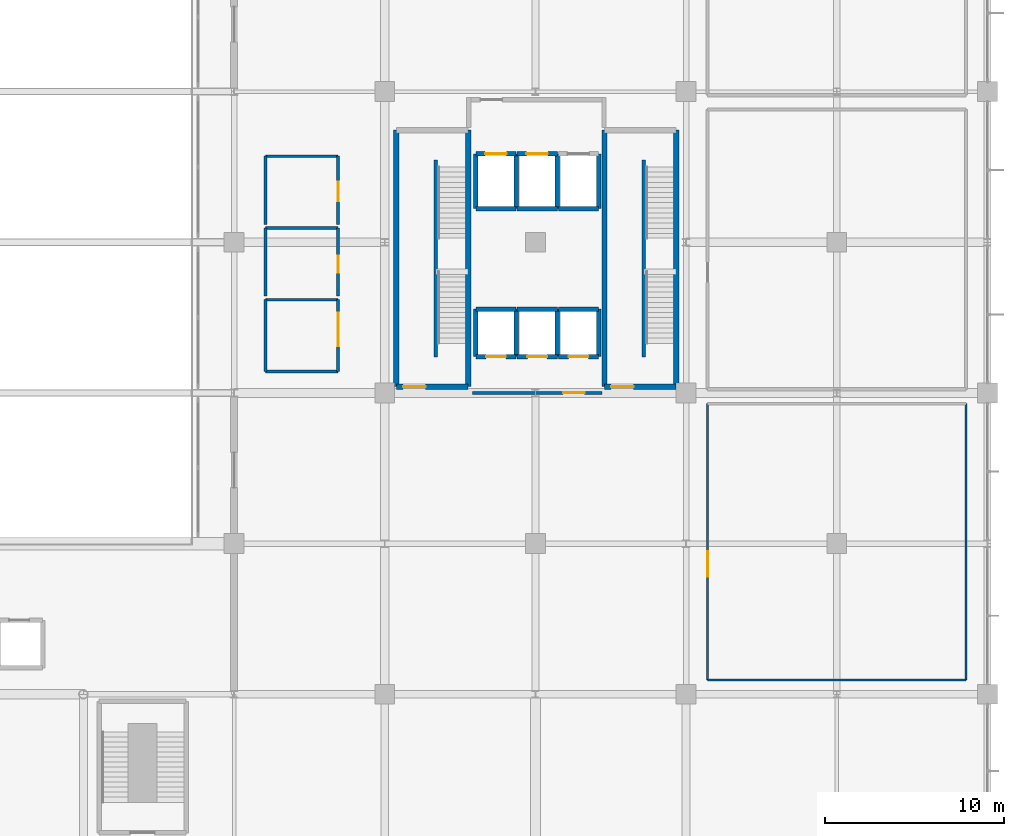
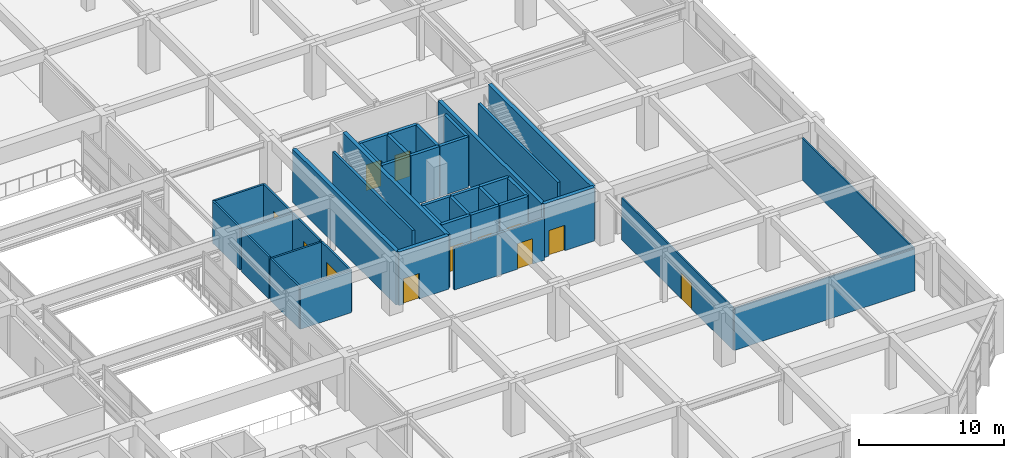
# One storey, part 52 of 62: 41 walls, 12 doors, 12 openings.
"""IFC4 building model written with IfcOpenShell, lengths in metres."""

from ifc_helpers import new_model, si_unit, direction, frame, frame_2d, origin, place, context, subcontext, project, spatial, rectangle, extrude, material, layer, layer_set, type_object, element, fill, save


model = new_model("IFC4")

# Units and contexts
model_context = context("Model", 3, precision=1e-05, world=origin(), true_north=direction((0.0, 1.0)))
body_context = subcontext(model_context, "Body", "Model", "MODEL_VIEW")
ifc_project = project(units=[si_unit("LENGTHUNIT", "METRE"), si_unit("AREAUNIT", "SQUARE_METRE"), si_unit("VOLUMEUNIT", "CUBIC_METRE"), si_unit("PLANEANGLEUNIT", "RADIAN"), si_unit("MASSUNIT", "GRAM", prefix="KILO")], contexts=[model_context])

# Site, building, storey
site_placement = place(None, origin())
site = spatial("IfcSite", under=ifc_project, at=site_placement, CompositionType="ELEMENT")
building_placement = place(site_placement, origin())
building = spatial("IfcBuilding", under=site, at=building_placement, Name="Xuanlan Plaza Opera House", CompositionType="ELEMENT")
storey_placement = place(building_placement, frame((0.0, 0.0, 14.39990234375)))
storey = spatial("IfcBuildingStorey", under=building, at=storey_placement, Name="L03", CompositionType="ELEMENT", Elevation=14.39990234375)

# Wall, opening, door
ifc_material_1 = material(Name="Gypsum Board and Galvanised Steel Studs", Category="gypsum")
ifc_layer_1 = layer(ifc_material_1, 0.179931640625)
ifc_layer_set_1 = layer_set([ifc_layer_1], Name="Gypsum Board and Galvanised Steel Studs")
wall_type_1 = type_object("IfcWallType", Name="INT-WL-PW-02", PredefinedType="PARTITIONING", material=ifc_layer_set_1)
wall_1_placement = place(storey_placement, frame((139.300048828125, 50.39990234375, 0.0), z_axis=(0.0, 0.0, 1.0), x_axis=(1.0, 0.0, 0.0)))
wall_1 = element("IfcWall", 1, at=wall_1_placement, inside=storey, type_object=wall_type_1, Name="Tower Lift Lobby Wall South", PredefinedType="PARTITIONING", context=body_context, shape_type="SweptSolid", body=[
    extrude(rectangle(XDim=7.199951171875, YDim=0.179931640625, at=frame_2d((3.60009765625, 0.0))), origin(), (0.0, 0.0, 1.0), 3.5400390625),
])
opening_1_placement = place(wall_1_placement, frame((5.050048828125, 0.0, 0.0)))
opening_1 = element("IfcOpeningElement", 2, at=opening_1_placement, cuts=wall_1, Name="Opening FD-02", PredefinedType="OPENING", context=body_context, shape_type="SweptSolid", body=[
    extrude(rectangle(XDim=1.199951171875, YDim=2.14990234375, at=frame_2d((0.60009765625, 1.074951171875))), frame((0.0, 0.099853515625, 0.0), z_axis=(0.0, -1.0, 0.0), x_axis=(1.0, 0.0, 0.0)), (0.0, 0.0, 1.0), 0.199951171875),
])
ifc_material_2 = material(Name="Galvanised Steel Q235B", Category="steel")
door_type_1 = type_object("IfcDoorType", Name="INT-DR-FD-02", OperationType="NOTDEFINED", PredefinedType="DOOR", material=ifc_material_2)
door_1_placement = place(opening_1_placement, frame((1.199951171875, 0.0, 0.0), z_axis=(0.0, 0.0, 1.0), x_axis=(-1.0, 0.0, 0.0)))
door_1 = element("IfcDoor", 3, at=door_1_placement, inside=storey, type_object=door_type_1, Name="Tower Lift Lobby Door 1", OperationType="SINGLE_SWING_RIGHT", OverallHeight=2.14990234375, OverallWidth=1.199951171875, PredefinedType="DOOR", context=body_context, shape_type="SweptSolid", body=[
    extrude(rectangle(XDim=1.199951171875, YDim=2.14990234375, at=frame_2d((0.60009765625, 1.074951171875))), frame((0.0, 0.02490234375, 0.0), z_axis=(0.0, -1.0, 0.0), x_axis=(1.0, 0.0, 0.0)), (0.0, 0.0, 1.0), 0.050048828125),
])
fill(opening_1, door_1)

# Walls
ifc_material_3 = material(Name="Autoclaved Aerated Blockwork Masonry", Category="masonry")
ifc_layer_2 = layer(ifc_material_3, 0.14990234375)
ifc_layer_set_2 = layer_set([ifc_layer_2], Name="Autoclaved Aerated Blockwork Masonry")
wall_type_2 = type_object("IfcWallType", Name="INT-WL-PW-03", PredefinedType="PARTITIONING", material=ifc_layer_set_2)
for number, where, z_axis, x_axis, name in (
    (4, (127.75, 51.60009765625, 0.0), (0.0, 0.0, 1.0), (1.0, 0.0, 0.0), "Public WC Wall South"),
    (5, (127.75, 55.60009765625, 0.0), (0.0, 0.0, 1.0), (1.0, 0.0, 0.0), "Public WC Wall North"),
):
    element("IfcWall", number, at=place(storey_placement, frame(where, z_axis=z_axis, x_axis=x_axis)), inside=storey, type_object=wall_type_2, Name=name, PredefinedType="PARTITIONING", context=body_context, shape_type="SweptSolid", body=[
        extrude(rectangle(XDim=4.050048828125, YDim=0.14990234375, at=frame_2d((2.02490234375, 0.0))), origin(), (0.0, 0.0, 1.0), 3.5400390625),
    ])
wall_2_placement = place(storey_placement, frame((127.75, 51.60009765625, 0.0), z_axis=(0.0, 0.0, 1.0), x_axis=(0.0, 1.0, 0.0)))
element("IfcWall", 6, at=wall_2_placement, inside=storey, type_object=wall_type_2, Name="Public WC Wall West", PredefinedType="PARTITIONING", context=body_context, shape_type="SweptSolid", body=[
    extrude(rectangle(XDim=4.0, YDim=0.14990234375, at=frame_2d((2.0, 0.0))), origin(), (0.0, 0.0, 1.0), 3.5400390625),
])

# Wall, opening, door
wall_3_placement = place(storey_placement, frame((131.800048828125, 51.60009765625, 0.0), z_axis=(0.0, 0.0, 1.0), x_axis=(0.0, 1.0, 0.0)))
wall_3 = element("IfcWall", 7, at=wall_3_placement, inside=storey, type_object=wall_type_2, Name="Public WC Wall East", PredefinedType="PARTITIONING", context=body_context, shape_type="SweptSolid", body=[
    extrude(rectangle(XDim=4.0, YDim=0.14990234375, at=frame_2d((2.0, 0.0))), origin(), (0.0, 0.0, 1.0), 3.5400390625),
])
opening_2_placement = place(wall_3_placement, frame((1.39990234375, 0.0, 0.0)))
opening_2 = element("IfcOpeningElement", 8, at=opening_2_placement, cuts=wall_3, Name="Opening D-15", PredefinedType="OPENING", context=body_context, shape_type="SweptSolid", body=[
    extrude(rectangle(XDim=1.860107421875, YDim=2.260009765625, at=frame_2d((0.93017578125, 1.1298828125))), frame((0.0, 0.0849609375, 0.0), z_axis=(0.0, -1.0, 0.0), x_axis=(1.0, 0.0, 0.0)), (0.0, 0.0, 1.0), 0.169921875),
])
ifc_material_4 = material(Name="Walnut Hardwood Timber", Category="wood")
door_type_2 = type_object("IfcDoorType", Name="INT-DR-D-15", OperationType="DOUBLE_DOOR_SINGLE_SWING", PredefinedType="DOOR", material=ifc_material_4)
door_2_placement = place(opening_2_placement, origin())
door_2 = element("IfcDoor", 9, at=door_2_placement, inside=storey, type_object=door_type_2, Name="Public WC Door 1", OperationType="DOUBLE_DOOR_SINGLE_SWING", OverallHeight=2.260009765625, OverallWidth=1.860107421875, PredefinedType="DOOR", context=body_context, shape_type="SweptSolid", body=[
    extrude(rectangle(XDim=1.860107421875, YDim=2.260009765625, at=frame_2d((0.93017578125, 1.1298828125))), frame((0.0, 0.02490234375, 0.0), z_axis=(0.0, -1.0, 0.0), x_axis=(1.0, 0.0, 0.0)), (0.0, 0.0, 1.0), 0.050048828125),
])
fill(opening_2, door_2)

# Walls
wall_4_placement = place(storey_placement, frame((127.75, 59.60009765625, 0.0), z_axis=(0.0, 0.0, 1.0), x_axis=(1.0, 0.0, 0.0)))
element("IfcWall", 10, at=wall_4_placement, inside=storey, type_object=wall_type_2, Name="Staff WC Wall North", PredefinedType="PARTITIONING", context=body_context, shape_type="SweptSolid", body=[
    extrude(rectangle(XDim=4.050048828125, YDim=0.14990234375, at=frame_2d((2.02490234375, 0.0))), origin(), (0.0, 0.0, 1.0), 3.5400390625),
])
wall_5_placement = place(storey_placement, frame((127.75, 55.800048828125, 0.0), z_axis=(0.0, 0.0, 1.0), x_axis=(0.0, 1.0, 0.0)))
element("IfcWall", 11, at=wall_5_placement, inside=storey, type_object=wall_type_2, Name="Staff WC Wall West", PredefinedType="PARTITIONING", context=body_context, shape_type="SweptSolid", body=[
    extrude(rectangle(XDim=3.800048828125, YDim=0.14990234375, at=frame_2d((1.89990234375, 0.0))), origin(), (0.0, 0.0, 1.0), 3.5400390625),
])

# Wall, opening, door
wall_6_placement = place(storey_placement, frame((131.800048828125, 55.800048828125, 0.0), z_axis=(0.0, 0.0, 1.0), x_axis=(0.0, 1.0, 0.0)))
wall_6 = element("IfcWall", 12, at=wall_6_placement, inside=storey, type_object=wall_type_2, Name="Staff WC Wall East", PredefinedType="PARTITIONING", context=body_context, shape_type="SweptSolid", body=[
    extrude(rectangle(XDim=3.800048828125, YDim=0.14990234375, at=frame_2d((1.89990234375, 0.0))), origin(), (0.0, 0.0, 1.0), 3.5400390625),
])
opening_3_placement = place(wall_6_placement, frame((1.300048828125, 0.0, 0.0)))
opening_3 = element("IfcOpeningElement", 13, at=opening_3_placement, cuts=wall_6, Name="Opening D-01", PredefinedType="OPENING", context=body_context, shape_type="SweptSolid", body=[
    extrude(rectangle(XDim=0.949951171875, YDim=2.10009765625, at=frame_2d((0.47509765625, 1.050048828125))), frame((0.0, 0.0849609375, 0.0), z_axis=(0.0, -1.0, 0.0), x_axis=(1.0, 0.0, 0.0)), (0.0, 0.0, 1.0), 0.169921875),
])
door_type_3 = type_object("IfcDoorType", Name="INT-DR-D-01", OperationType="NOTDEFINED", PredefinedType="DOOR", material=ifc_material_4)
door_3_placement = place(opening_3_placement, origin())
door_3 = element("IfcDoor", 14, at=door_3_placement, inside=storey, type_object=door_type_3, Name="Staff WC Door 1", OperationType="SINGLE_SWING_RIGHT", OverallHeight=2.10009765625, OverallWidth=0.949951171875, PredefinedType="DOOR", context=body_context, shape_type="SweptSolid", body=[
    extrude(rectangle(XDim=0.949951171875, YDim=2.10009765625, at=frame_2d((0.47509765625, 1.050048828125))), frame((0.0, 0.02490234375, 0.0), z_axis=(0.0, -1.0, 0.0), x_axis=(1.0, 0.0, 0.0)), (0.0, 0.0, 1.0), 0.050048828125),
])
fill(opening_3, door_3)

# Walls
wall_7_placement = place(storey_placement, frame((127.75, 63.60009765625, 0.0), z_axis=(0.0, 0.0, 1.0), x_axis=(1.0, 0.0, 0.0)))
element("IfcWall", 15, at=wall_7_placement, inside=storey, type_object=wall_type_2, Name="Accessible WC Wall North", PredefinedType="PARTITIONING", context=body_context, shape_type="SweptSolid", body=[
    extrude(rectangle(XDim=4.050048828125, YDim=0.14990234375, at=frame_2d((2.02490234375, 0.0))), origin(), (0.0, 0.0, 1.0), 3.5400390625),
])
wall_8_placement = place(storey_placement, frame((127.75, 59.800048828125, 0.0), z_axis=(0.0, 0.0, 1.0), x_axis=(0.0, 1.0, 0.0)))
element("IfcWall", 16, at=wall_8_placement, inside=storey, type_object=wall_type_2, Name="Accessible WC Wall West", PredefinedType="PARTITIONING", context=body_context, shape_type="SweptSolid", body=[
    extrude(rectangle(XDim=3.800048828125, YDim=0.14990234375, at=frame_2d((1.89990234375, 0.0))), origin(), (0.0, 0.0, 1.0), 3.5400390625),
])

# Wall, opening, door
wall_9_placement = place(storey_placement, frame((131.800048828125, 59.800048828125, 0.0), z_axis=(0.0, 0.0, 1.0), x_axis=(0.0, 1.0, 0.0)))
wall_9 = element("IfcWall", 17, at=wall_9_placement, inside=storey, type_object=wall_type_2, Name="Accessible WC Wall East", PredefinedType="PARTITIONING", context=body_context, shape_type="SweptSolid", body=[
    extrude(rectangle(XDim=3.800048828125, YDim=0.14990234375, at=frame_2d((1.89990234375, 0.0))), origin(), (0.0, 0.0, 1.0), 3.5400390625),
])
opening_4_placement = place(wall_9_placement, frame((1.300048828125, 0.0, 0.0)))
opening_4 = element("IfcOpeningElement", 18, at=opening_4_placement, cuts=wall_9, Name="Opening D-06", PredefinedType="OPENING", context=body_context, shape_type="SweptSolid", body=[
    extrude(rectangle(XDim=1.080078125, YDim=2.1201171875, at=frame_2d((0.5400390625, 1.06005859375))), frame((0.0, 0.0849609375, 0.0), z_axis=(0.0, -1.0, 0.0), x_axis=(1.0, 0.0, 0.0)), (0.0, 0.0, 1.0), 0.169921875),
])
ifc_material_5 = material(Name="Oak Hardwood Timber", Category="wood")
door_type_4 = type_object("IfcDoorType", Name="INT-DR-D-06", OperationType="NOTDEFINED", PredefinedType="DOOR", material=ifc_material_5)
door_4_placement = place(opening_4_placement, origin())
door_4 = element("IfcDoor", 19, at=door_4_placement, inside=storey, type_object=door_type_4, Name="Accessible WC Door 1", OperationType="SINGLE_SWING_LEFT", OverallHeight=2.1201171875, OverallWidth=1.080078125, PredefinedType="DOOR", context=body_context, shape_type="SweptSolid", body=[
    extrude(rectangle(XDim=1.080078125, YDim=2.1201171875, at=frame_2d((0.5400390625, 1.06005859375))), frame((0.0, 0.02490234375, 0.0), z_axis=(0.0, -1.0, 0.0), x_axis=(1.0, 0.0, 0.0)), (0.0, 0.0, 1.0), 0.050048828125),
])
fill(opening_4, door_4)

# Wall
ifc_layer_3 = layer(ifc_material_1, 0.1201171875)
ifc_layer_set_3 = layer_set([ifc_layer_3], Name="Gypsum Board and Galvanised Steel Studs")
wall_type_3 = type_object("IfcWallType", Name="INT-WL-PW-04", PredefinedType="PARTITIONING", material=ifc_layer_set_3)
wall_10_placement = place(storey_placement, frame((152.39990234375, 34.39990234375, 0.0), z_axis=(0.0, 0.0, 1.0), x_axis=(1.0, 0.0, 0.0)))
element("IfcWall", 20, at=wall_10_placement, inside=storey, type_object=wall_type_3, Name="Stage Design Atelier 1 Wall South", PredefinedType="PARTITIONING", context=body_context, shape_type="SweptSolid", body=[
    extrude(rectangle(XDim=14.400146484375, YDim=0.1201171875, at=frame_2d((7.2001953125, 0.0))), origin(), (0.0, 0.0, 1.0), 3.5400390625),
])

# Wall, opening, door
wall_11_placement = place(storey_placement, frame((152.39990234375, 34.39990234375, 0.0), z_axis=(0.0, 0.0, 1.0), x_axis=(0.0, 1.0, 0.0)))
wall_11 = element("IfcWall", 21, at=wall_11_placement, inside=storey, type_object=wall_type_3, Name="Stage Design Atelier 1 Wall West", PredefinedType="PARTITIONING", context=body_context, shape_type="SweptSolid", body=[
    extrude(rectangle(XDim=15.400146484375, YDim=0.1201171875, at=frame_2d((7.7001953125, 0.0))), origin(), (0.0, 0.0, 1.0), 3.5400390625),
])
opening_5_placement = place(wall_11_placement, frame((5.75, 0.0, 0.0)))
opening_5 = element("IfcOpeningElement", 22, at=opening_5_placement, cuts=wall_11, Name="Opening D-12", PredefinedType="OPENING", context=body_context, shape_type="SweptSolid", body=[
    extrude(rectangle(XDim=1.419921875, YDim=2.179931640625, at=frame_2d((0.7099609375, 1.08984375))), frame((0.0, 0.070068359375, 0.0), z_axis=(0.0, -1.0, 0.0), x_axis=(1.0, 0.0, 0.0)), (0.0, 0.0, 1.0), 0.14013671875),
])
door_type_5 = type_object("IfcDoorType", Name="INT-DR-D-12", OperationType="DOUBLE_DOOR_SINGLE_SWING", PredefinedType="DOOR", material=ifc_material_5)
door_5_placement = place(opening_5_placement, origin())
door_5 = element("IfcDoor", 23, at=door_5_placement, inside=storey, type_object=door_type_5, Name="Stage Design Atelier 1 Door 1", OperationType="DOUBLE_DOOR_SINGLE_SWING", OverallHeight=2.179931640625, OverallWidth=1.419921875, PredefinedType="DOOR", context=body_context, shape_type="SweptSolid", body=[
    extrude(rectangle(XDim=1.419921875, YDim=2.179931640625, at=frame_2d((0.7099609375, 1.08984375))), frame((0.0, 0.02490234375, 0.0), z_axis=(0.0, -1.0, 0.0), x_axis=(1.0, 0.0, 0.0)), (0.0, 0.0, 1.0), 0.050048828125),
])
fill(opening_5, door_5)

# Walls
wall_12_placement = place(storey_placement, frame((166.800048828125, 34.39990234375, 0.0), z_axis=(0.0, 0.0, 1.0), x_axis=(0.0, 1.0, 0.0)))
element("IfcWall", 24, at=wall_12_placement, inside=storey, type_object=wall_type_3, Name="Stage Design Atelier 1 Wall East", PredefinedType="PARTITIONING", context=body_context, shape_type="SweptSolid", body=[
    extrude(rectangle(XDim=15.400146484375, YDim=0.1201171875, at=frame_2d((7.7001953125, 0.0))), origin(), (0.0, 0.0, 1.0), 3.5400390625),
])
ifc_material_6 = material(Name="Concrete C40", Category="concrete")
ifc_layer_4 = layer(ifc_material_6, 0.25)
ifc_layer_set_4 = layer_set([ifc_layer_4], Name="Concrete C40")
wall_type_4 = type_object("IfcWallType", Name="INT-WL-SW-LF1", PredefinedType="SHEAR", material=ifc_layer_set_4)
wall_13_placement = place(storey_placement, frame((139.47509765625, 60.675048828125, 0.0), z_axis=(0.0, 0.0, 1.0), x_axis=(1.0, 0.0, 0.0)))
element("IfcWall", 25, at=wall_13_placement, inside=storey, type_object=wall_type_4, Name="Lift Shaft Wall LF-FF1 L03 South", PredefinedType="SHEAR", context=body_context, shape_type="SweptSolid", body=[
    extrude(rectangle(XDim=2.25, YDim=0.25, at=frame_2d((1.125, 0.0))), origin(), (0.0, 0.0, 1.0), 4.239990234375),
])

# Wall, opening, door
wall_14_placement = place(storey_placement, frame((139.47509765625, 63.72509765625, 0.0), z_axis=(0.0, 0.0, 1.0), x_axis=(1.0, 0.0, 0.0)))
wall_14 = element("IfcWall", 26, at=wall_14_placement, inside=storey, type_object=wall_type_4, Name="Lift Shaft Wall LF-FF1 L03 North", PredefinedType="SHEAR", context=body_context, shape_type="SweptSolid", body=[
    extrude(rectangle(XDim=2.25, YDim=0.25, at=frame_2d((1.125, 0.0))), origin(), (0.0, 0.0, 1.0), 4.239990234375),
])
opening_6_placement = place(wall_14_placement, frame((0.52490234375, 0.0, 0.0)))
opening_6 = element("IfcOpeningElement", 27, at=opening_6_placement, cuts=wall_14, Name="Opening LD-FF1-L03", PredefinedType="OPENING", context=body_context, shape_type="SweptSolid", body=[
    extrude(rectangle(XDim=1.199951171875, YDim=2.179931640625, at=frame_2d((0.60009765625, 1.08984375))), frame((0.0, 0.135009765625, 0.0), z_axis=(0.0, -1.0, 0.0), x_axis=(1.0, 0.0, 0.0)), (0.0, 0.0, 1.0), 0.27001953125),
])
ifc_material_7 = material(Name="Stainless Steel S30408", Category="steel")
door_type_6 = type_object("IfcDoorType", Name="INT-DR-LD-02", OperationType="DOUBLE_DOOR_SLIDING", PredefinedType="DOOR", material=ifc_material_7)
door_6_placement = place(opening_6_placement, origin())
door_6 = element("IfcDoor", 28, at=door_6_placement, inside=storey, type_object=door_type_6, Name="Lift Sliding Landing Door LF-FF1 L03", OperationType="DOUBLE_DOOR_SLIDING", OverallHeight=2.179931640625, OverallWidth=1.199951171875, PredefinedType="DOOR", context=body_context, shape_type="SweptSolid", body=[
    extrude(rectangle(XDim=1.199951171875, YDim=2.179931640625, at=frame_2d((0.60009765625, 1.08984375))), frame((0.0, 0.02490234375, 0.0), z_axis=(0.0, -1.0, 0.0), x_axis=(1.0, 0.0, 0.0)), (0.0, 0.0, 1.0), 0.050048828125),
])
fill(opening_6, door_6)

# Walls
for number, where, z_axis, x_axis, name in (
    (29, (139.47509765625, 60.675048828125, 0.0), (0.0, 0.0, 1.0), (0.0, 1.0, 0.0), "Lift Shaft Wall LF-FF1 L03 West"),
    (30, (141.72509765625, 60.675048828125, 0.0), (0.0, 0.0, 1.0), (0.0, 1.0, 0.0), "Lift Shaft Wall LF-FF1 L03 East"),
):
    element("IfcWall", number, at=place(storey_placement, frame(where, z_axis=z_axis, x_axis=x_axis)), inside=storey, type_object=wall_type_4, Name=name, PredefinedType="SHEAR", context=body_context, shape_type="SweptSolid", body=[
        extrude(rectangle(XDim=3.050048828125, YDim=0.25, at=frame_2d((1.52490234375, 0.0))), origin(), (0.0, 0.0, 1.0), 4.239990234375),
    ])
wall_15_placement = place(storey_placement, frame((141.77490234375, 60.675048828125, 0.0), z_axis=(0.0, 0.0, 1.0), x_axis=(1.0, 0.0, 0.0)))
element("IfcWall", 31, at=wall_15_placement, inside=storey, type_object=wall_type_4, Name="Lift Shaft Wall LF-FF2 L03 South", PredefinedType="SHEAR", context=body_context, shape_type="SweptSolid", body=[
    extrude(rectangle(XDim=2.25, YDim=0.25, at=frame_2d((1.125, 0.0))), origin(), (0.0, 0.0, 1.0), 4.239990234375),
])

# Wall, opening, door
wall_16_placement = place(storey_placement, frame((141.77490234375, 63.72509765625, 0.0), z_axis=(0.0, 0.0, 1.0), x_axis=(1.0, 0.0, 0.0)))
wall_16 = element("IfcWall", 32, at=wall_16_placement, inside=storey, type_object=wall_type_4, Name="Lift Shaft Wall LF-FF2 L03 North", PredefinedType="SHEAR", context=body_context, shape_type="SweptSolid", body=[
    extrude(rectangle(XDim=2.25, YDim=0.25, at=frame_2d((1.125, 0.0))), origin(), (0.0, 0.0, 1.0), 4.239990234375),
])
opening_7_placement = place(wall_16_placement, frame((0.52490234375, 0.0, 0.0)))
opening_7 = element("IfcOpeningElement", 33, at=opening_7_placement, cuts=wall_16, Name="Opening LD-FF2-L03", PredefinedType="OPENING", context=body_context, shape_type="SweptSolid", body=[
    extrude(rectangle(XDim=1.199951171875, YDim=2.179931640625, at=frame_2d((0.60009765625, 1.08984375))), frame((0.0, 0.135009765625, 0.0), z_axis=(0.0, -1.0, 0.0), x_axis=(1.0, 0.0, 0.0)), (0.0, 0.0, 1.0), 0.27001953125),
])
door_7_placement = place(opening_7_placement, origin())
door_7 = element("IfcDoor", 34, at=door_7_placement, inside=storey, type_object=door_type_6, Name="Lift Sliding Landing Door LF-FF2 L03", OperationType="DOUBLE_DOOR_SLIDING", OverallHeight=2.179931640625, OverallWidth=1.199951171875, PredefinedType="DOOR", context=body_context, shape_type="SweptSolid", body=[
    extrude(rectangle(XDim=1.199951171875, YDim=2.179931640625, at=frame_2d((0.60009765625, 1.08984375))), frame((0.0, 0.02490234375, 0.0), z_axis=(0.0, -1.0, 0.0), x_axis=(1.0, 0.0, 0.0)), (0.0, 0.0, 1.0), 0.050048828125),
])
fill(opening_7, door_7)

# Walls
wall_17_placement = place(storey_placement, frame((144.02490234375, 60.675048828125, 0.0), z_axis=(0.0, 0.0, 1.0), x_axis=(0.0, 1.0, 0.0)))
element("IfcWall", 35, at=wall_17_placement, inside=storey, type_object=wall_type_4, Name="Lift Shaft Wall LF-FF2 L03 East", PredefinedType="SHEAR", context=body_context, shape_type="SweptSolid", body=[
    extrude(rectangle(XDim=3.050048828125, YDim=0.25, at=frame_2d((1.52490234375, 0.0))), origin(), (0.0, 0.0, 1.0), 4.239990234375),
])
wall_18_placement = place(storey_placement, frame((144.074951171875, 60.675048828125, 0.0), z_axis=(0.0, 0.0, 1.0), x_axis=(1.0, 0.0, 0.0)))
element("IfcWall", 36, at=wall_18_placement, inside=storey, type_object=wall_type_4, Name="Lift Shaft Wall LF-FF3 L03 South", PredefinedType="SHEAR", context=body_context, shape_type="SweptSolid", body=[
    extrude(rectangle(XDim=2.25, YDim=0.25, at=frame_2d((1.125, 0.0))), origin(), (0.0, 0.0, 1.0), 4.239990234375),
])
wall_19_placement = place(storey_placement, frame((146.324951171875, 60.675048828125, 0.0), z_axis=(0.0, 0.0, 1.0), x_axis=(0.0, 1.0, 0.0)))
element("IfcWall", 37, at=wall_19_placement, inside=storey, type_object=wall_type_4, Name="Lift Shaft Wall LF-FF3 L03 East", PredefinedType="SHEAR", context=body_context, shape_type="SweptSolid", body=[
    extrude(rectangle(XDim=3.050048828125, YDim=0.25, at=frame_2d((1.52490234375, 0.0))), origin(), (0.0, 0.0, 1.0), 4.239990234375),
])

# Wall, opening, door
wall_20_placement = place(storey_placement, frame((139.47509765625, 52.425048828125, 0.0), z_axis=(0.0, 0.0, 1.0), x_axis=(1.0, 0.0, 0.0)))
wall_20 = element("IfcWall", 38, at=wall_20_placement, inside=storey, type_object=wall_type_4, Name="Lift Shaft Wall LF-P1 L03 South", PredefinedType="SHEAR", context=body_context, shape_type="SweptSolid", body=[
    extrude(rectangle(XDim=2.25, YDim=0.25, at=frame_2d((1.125, 0.0))), origin(), (0.0, 0.0, 1.0), 4.239990234375),
])
opening_8_placement = place(wall_20_placement, frame((0.574951171875, 0.0, 0.0)))
opening_8 = element("IfcOpeningElement", 39, at=opening_8_placement, cuts=wall_20, Name="Opening LD-P1-L03", PredefinedType="OPENING", context=body_context, shape_type="SweptSolid", body=[
    extrude(rectangle(XDim=1.10009765625, YDim=2.14990234375, at=frame_2d((0.550048828125, 1.074951171875))), frame((0.0, 0.135009765625, 0.0), z_axis=(0.0, -1.0, 0.0), x_axis=(1.0, 0.0, 0.0)), (0.0, 0.0, 1.0), 0.27001953125),
])
door_type_7 = type_object("IfcDoorType", Name="INT-DR-LD-01", OperationType="DOUBLE_DOOR_SLIDING", PredefinedType="DOOR", material=ifc_material_7)
door_8_placement = place(opening_8_placement, origin())
door_8 = element("IfcDoor", 40, at=door_8_placement, inside=storey, type_object=door_type_7, Name="Lift Sliding Landing Door LF-P1 L03", OperationType="DOUBLE_DOOR_SLIDING", OverallHeight=2.14990234375, OverallWidth=1.10009765625, PredefinedType="DOOR", context=body_context, shape_type="SweptSolid", body=[
    extrude(rectangle(XDim=1.10009765625, YDim=2.14990234375, at=frame_2d((0.550048828125, 1.074951171875))), frame((0.0, 0.02490234375, 0.0), z_axis=(0.0, -1.0, 0.0), x_axis=(1.0, 0.0, 0.0)), (0.0, 0.0, 1.0), 0.050048828125),
])
fill(opening_8, door_8)

# Walls
wall_21_placement = place(storey_placement, frame((139.47509765625, 55.074951171875, 0.0), z_axis=(0.0, 0.0, 1.0), x_axis=(1.0, 0.0, 0.0)))
element("IfcWall", 41, at=wall_21_placement, inside=storey, type_object=wall_type_4, Name="Lift Shaft Wall LF-P1 L03 North", PredefinedType="SHEAR", context=body_context, shape_type="SweptSolid", body=[
    extrude(rectangle(XDim=2.25, YDim=0.25, at=frame_2d((1.125, 0.0))), origin(), (0.0, 0.0, 1.0), 4.239990234375),
])
for number, where, z_axis, x_axis, name in (
    (42, (139.47509765625, 52.425048828125, 0.0), (0.0, 0.0, 1.0), (0.0, 1.0, 0.0), "Lift Shaft Wall LF-P1 L03 West"),
    (43, (141.72509765625, 52.425048828125, 0.0), (0.0, 0.0, 1.0), (0.0, 1.0, 0.0), "Lift Shaft Wall LF-P1 L03 East"),
):
    element("IfcWall", number, at=place(storey_placement, frame(where, z_axis=z_axis, x_axis=x_axis)), inside=storey, type_object=wall_type_4, Name=name, PredefinedType="SHEAR", context=body_context, shape_type="SweptSolid", body=[
        extrude(rectangle(XDim=2.64990234375, YDim=0.25, at=frame_2d((1.324951171875, 0.0))), origin(), (0.0, 0.0, 1.0), 4.239990234375),
    ])

# Wall, opening, door
wall_22_placement = place(storey_placement, frame((141.77490234375, 52.425048828125, 0.0), z_axis=(0.0, 0.0, 1.0), x_axis=(1.0, 0.0, 0.0)))
wall_22 = element("IfcWall", 44, at=wall_22_placement, inside=storey, type_object=wall_type_4, Name="Lift Shaft Wall LF-P2 L03 South", PredefinedType="SHEAR", context=body_context, shape_type="SweptSolid", body=[
    extrude(rectangle(XDim=2.25, YDim=0.25, at=frame_2d((1.125, 0.0))), origin(), (0.0, 0.0, 1.0), 4.239990234375),
])
opening_9_placement = place(wall_22_placement, frame((0.574951171875, 0.0, 0.0)))
opening_9 = element("IfcOpeningElement", 45, at=opening_9_placement, cuts=wall_22, Name="Opening LD-P2-L03", PredefinedType="OPENING", context=body_context, shape_type="SweptSolid", body=[
    extrude(rectangle(XDim=1.10009765625, YDim=2.14990234375, at=frame_2d((0.550048828125, 1.074951171875))), frame((0.0, 0.135009765625, 0.0), z_axis=(0.0, -1.0, 0.0), x_axis=(1.0, 0.0, 0.0)), (0.0, 0.0, 1.0), 0.27001953125),
])
door_9_placement = place(opening_9_placement, origin())
door_9 = element("IfcDoor", 46, at=door_9_placement, inside=storey, type_object=door_type_7, Name="Lift Sliding Landing Door LF-P2 L03", OperationType="DOUBLE_DOOR_SLIDING", OverallHeight=2.14990234375, OverallWidth=1.10009765625, PredefinedType="DOOR", context=body_context, shape_type="SweptSolid", body=[
    extrude(rectangle(XDim=1.10009765625, YDim=2.14990234375, at=frame_2d((0.550048828125, 1.074951171875))), frame((0.0, 0.02490234375, 0.0), z_axis=(0.0, -1.0, 0.0), x_axis=(1.0, 0.0, 0.0)), (0.0, 0.0, 1.0), 0.050048828125),
])
fill(opening_9, door_9)

# Walls
wall_23_placement = place(storey_placement, frame((141.77490234375, 55.074951171875, 0.0), z_axis=(0.0, 0.0, 1.0), x_axis=(1.0, 0.0, 0.0)))
element("IfcWall", 47, at=wall_23_placement, inside=storey, type_object=wall_type_4, Name="Lift Shaft Wall LF-P2 L03 North", PredefinedType="SHEAR", context=body_context, shape_type="SweptSolid", body=[
    extrude(rectangle(XDim=2.25, YDim=0.25, at=frame_2d((1.125, 0.0))), origin(), (0.0, 0.0, 1.0), 4.239990234375),
])
wall_24_placement = place(storey_placement, frame((144.02490234375, 52.425048828125, 0.0), z_axis=(0.0, 0.0, 1.0), x_axis=(0.0, 1.0, 0.0)))
element("IfcWall", 48, at=wall_24_placement, inside=storey, type_object=wall_type_4, Name="Lift Shaft Wall LF-P2 L03 East", PredefinedType="SHEAR", context=body_context, shape_type="SweptSolid", body=[
    extrude(rectangle(XDim=2.64990234375, YDim=0.25, at=frame_2d((1.324951171875, 0.0))), origin(), (0.0, 0.0, 1.0), 4.239990234375),
])

# Wall, opening, door
wall_25_placement = place(storey_placement, frame((144.074951171875, 52.425048828125, 0.0), z_axis=(0.0, 0.0, 1.0), x_axis=(1.0, 0.0, 0.0)))
wall_25 = element("IfcWall", 49, at=wall_25_placement, inside=storey, type_object=wall_type_4, Name="Lift Shaft Wall LF-P3 L03 South", PredefinedType="SHEAR", context=body_context, shape_type="SweptSolid", body=[
    extrude(rectangle(XDim=2.25, YDim=0.25, at=frame_2d((1.125, 0.0))), origin(), (0.0, 0.0, 1.0), 4.239990234375),
])
opening_10_placement = place(wall_25_placement, frame((0.574951171875, 0.0, 0.0)))
opening_10 = element("IfcOpeningElement", 50, at=opening_10_placement, cuts=wall_25, Name="Opening LD-P3-L03", PredefinedType="OPENING", context=body_context, shape_type="SweptSolid", body=[
    extrude(rectangle(XDim=1.10009765625, YDim=2.14990234375, at=frame_2d((0.550048828125, 1.074951171875))), frame((0.0, 0.135009765625, 0.0), z_axis=(0.0, -1.0, 0.0), x_axis=(1.0, 0.0, 0.0)), (0.0, 0.0, 1.0), 0.27001953125),
])
door_10_placement = place(opening_10_placement, origin())
door_10 = element("IfcDoor", 51, at=door_10_placement, inside=storey, type_object=door_type_7, Name="Lift Sliding Landing Door LF-P3 L03", OperationType="DOUBLE_DOOR_SLIDING", OverallHeight=2.14990234375, OverallWidth=1.10009765625, PredefinedType="DOOR", context=body_context, shape_type="SweptSolid", body=[
    extrude(rectangle(XDim=1.10009765625, YDim=2.14990234375, at=frame_2d((0.550048828125, 1.074951171875))), frame((0.0, 0.02490234375, 0.0), z_axis=(0.0, -1.0, 0.0), x_axis=(1.0, 0.0, 0.0)), (0.0, 0.0, 1.0), 0.050048828125),
])
fill(opening_10, door_10)

# Walls
wall_26_placement = place(storey_placement, frame((144.074951171875, 55.074951171875, 0.0), z_axis=(0.0, 0.0, 1.0), x_axis=(1.0, 0.0, 0.0)))
element("IfcWall", 52, at=wall_26_placement, inside=storey, type_object=wall_type_4, Name="Lift Shaft Wall LF-P3 L03 North", PredefinedType="SHEAR", context=body_context, shape_type="SweptSolid", body=[
    extrude(rectangle(XDim=2.25, YDim=0.25, at=frame_2d((1.125, 0.0))), origin(), (0.0, 0.0, 1.0), 4.239990234375),
])
wall_27_placement = place(storey_placement, frame((146.324951171875, 52.425048828125, 0.0), z_axis=(0.0, 0.0, 1.0), x_axis=(0.0, 1.0, 0.0)))
element("IfcWall", 53, at=wall_27_placement, inside=storey, type_object=wall_type_4, Name="Lift Shaft Wall LF-P3 L03 East", PredefinedType="SHEAR", context=body_context, shape_type="SweptSolid", body=[
    extrude(rectangle(XDim=2.64990234375, YDim=0.25, at=frame_2d((1.324951171875, 0.0))), origin(), (0.0, 0.0, 1.0), 4.239990234375),
])
ifc_layer_5 = layer(ifc_material_6, 0.199951171875)
ifc_layer_set_5 = layer_set([ifc_layer_5], Name="Concrete C40")
wall_type_5 = type_object("IfcWallType", Name="INT-WL-SW-SPN", PredefinedType="SHEAR", material=ifc_layer_set_5)
for number, where, z_axis, x_axis, name in (
    (54, (137.25, 52.39990234375, 0.0), (0.0, 0.0, 1.0), (0.0, 1.0, 0.0), "Stair Structural Spine Wall ST-T1 L03"),
    (55, (148.85009765625, 52.39990234375, 0.0), (0.0, 0.0, 1.0), (0.0, 1.0, 0.0), "Stair Structural Spine Wall ST-T2 L03"),
):
    element("IfcWall", number, at=place(storey_placement, frame(where, z_axis=z_axis, x_axis=x_axis)), inside=storey, type_object=wall_type_5, Name=name, PredefinedType="SHEAR", context=body_context, shape_type="SweptSolid", body=[
        extrude(rectangle(XDim=11.0, YDim=0.199951171875, at=frame_2d((5.5, 0.0))), origin(), (0.0, 0.0, 1.0), 4.5),
    ])

# Wall, opening, door
ifc_layer_6 = layer(ifc_material_6, 0.300048828125)
ifc_layer_set_6 = layer_set([ifc_layer_6], Name="Concrete C40")
wall_type_6 = type_object("IfcWallType", Name="INT-WL-SW-ST1", PredefinedType="SHEAR", material=ifc_layer_set_6)
wall_28_placement = place(storey_placement, frame((135.050048828125, 50.75, 0.0), z_axis=(0.0, 0.0, 1.0), x_axis=(1.0, 0.0, 0.0)))
wall_28 = element("IfcWall", 56, at=wall_28_placement, inside=storey, type_object=wall_type_6, Name="Stair Core Wall ST-T1 L03 South", PredefinedType="SHEAR", context=body_context, shape_type="SweptSolid", body=[
    extrude(rectangle(XDim=4.0, YDim=0.300048828125, at=frame_2d((2.0, 0.0))), origin(), (0.0, 0.0, 1.0), 4.5),
])
opening_11_placement = place(wall_28_placement, frame((0.375, 0.0, 0.0)))
opening_11 = element("IfcOpeningElement", 57, at=opening_11_placement, cuts=wall_28, Name="Opening FD-ST1", PredefinedType="OPENING", context=body_context, shape_type="SweptSolid", body=[
    extrude(rectangle(XDim=1.25, YDim=2.14990234375, at=frame_2d((0.625, 1.074951171875))), frame((0.0, 0.159912109375, 0.0), z_axis=(0.0, -1.0, 0.0), x_axis=(1.0, 0.0, 0.0)), (0.0, 0.0, 1.0), 0.320068359375),
])
door_type_8 = type_object("IfcDoorType", Name="INT-DR-FD-ST1", OperationType="NOTDEFINED", PredefinedType="DOOR", material=ifc_material_2)
door_11_placement = place(opening_11_placement, origin())
door_11 = element("IfcDoor", 58, at=door_11_placement, inside=storey, type_object=door_type_8, Name="Stair Enclosure Fire Door ST-T1 L03", OperationType="SINGLE_SWING_LEFT", OverallHeight=2.14990234375, OverallWidth=1.25, PredefinedType="DOOR", context=body_context, shape_type="SweptSolid", body=[
    extrude(rectangle(XDim=1.25, YDim=2.14990234375, at=frame_2d((0.625, 1.074951171875))), frame((0.0, 0.02490234375, 0.0), z_axis=(0.0, -1.0, 0.0), x_axis=(1.0, 0.0, 0.0)), (0.0, 0.0, 1.0), 0.050048828125),
])
fill(opening_11, door_11)

# Walls
for number, where, z_axis, x_axis, name in (
    (59, (135.050048828125, 50.75, 0.0), (0.0, 0.0, 1.0), (0.0, 1.0, 0.0), "Stair Core Wall ST-T1 L03 West"),
    (60, (139.050048828125, 50.75, 0.0), (0.0, 0.0, 1.0), (0.0, 1.0, 0.0), "Stair Core Wall ST-T1 L03 East"),
):
    element("IfcWall", number, at=place(storey_placement, frame(where, z_axis=z_axis, x_axis=x_axis)), inside=storey, type_object=wall_type_6, Name=name, PredefinedType="SHEAR", context=body_context, shape_type="SweptSolid", body=[
        extrude(rectangle(XDim=14.300048828125, YDim=0.300048828125, at=frame_2d((7.14990234375, 0.0))), origin(), (0.0, 0.0, 1.0), 4.5),
    ])

# Wall, opening, door
wall_29_placement = place(storey_placement, frame((146.64990234375, 50.75, 0.0), z_axis=(0.0, 0.0, 1.0), x_axis=(1.0, 0.0, 0.0)))
wall_29 = element("IfcWall", 61, at=wall_29_placement, inside=storey, type_object=wall_type_6, Name="Stair Core Wall ST-T2 L03 South", PredefinedType="SHEAR", context=body_context, shape_type="SweptSolid", body=[
    extrude(rectangle(XDim=4.0, YDim=0.300048828125, at=frame_2d((2.0, 0.0))), origin(), (0.0, 0.0, 1.0), 4.5),
])
opening_12_placement = place(wall_29_placement, frame((0.375, 0.0, 0.0)))
opening_12 = element("IfcOpeningElement", 62, at=opening_12_placement, cuts=wall_29, Name="Opening FD-ST1", PredefinedType="OPENING", context=body_context, shape_type="SweptSolid", body=[
    extrude(rectangle(XDim=1.25, YDim=2.14990234375, at=frame_2d((0.625, 1.074951171875))), frame((0.0, 0.159912109375, 0.0), z_axis=(0.0, -1.0, 0.0), x_axis=(1.0, 0.0, 0.0)), (0.0, 0.0, 1.0), 0.320068359375),
])
door_12_placement = place(opening_12_placement, origin())
door_12 = element("IfcDoor", 63, at=door_12_placement, inside=storey, type_object=door_type_8, Name="Stair Enclosure Fire Door ST-T2 L03", OperationType="SINGLE_SWING_RIGHT", OverallHeight=2.14990234375, OverallWidth=1.25, PredefinedType="DOOR", context=body_context, shape_type="SweptSolid", body=[
    extrude(rectangle(XDim=1.25, YDim=2.14990234375, at=frame_2d((0.625, 1.074951171875))), frame((0.0, 0.02490234375, 0.0), z_axis=(0.0, -1.0, 0.0), x_axis=(1.0, 0.0, 0.0)), (0.0, 0.0, 1.0), 0.050048828125),
])
fill(opening_12, door_12)

# Walls
for number, where, z_axis, x_axis, name in (
    (64, (146.64990234375, 50.75, 0.0), (0.0, 0.0, 1.0), (0.0, 1.0, 0.0), "Stair Core Wall ST-T2 L03 West"),
    (65, (150.64990234375, 50.75, 0.0), (0.0, 0.0, 1.0), (0.0, 1.0, 0.0), "Stair Core Wall ST-T2 L03 East"),
):
    element("IfcWall", number, at=place(storey_placement, frame(where, z_axis=z_axis, x_axis=x_axis)), inside=storey, type_object=wall_type_6, Name=name, PredefinedType="SHEAR", context=body_context, shape_type="SweptSolid", body=[
        extrude(rectangle(XDim=14.300048828125, YDim=0.300048828125, at=frame_2d((7.14990234375, 0.0))), origin(), (0.0, 0.0, 1.0), 4.5),
    ])

save(model, "model.ifc")
